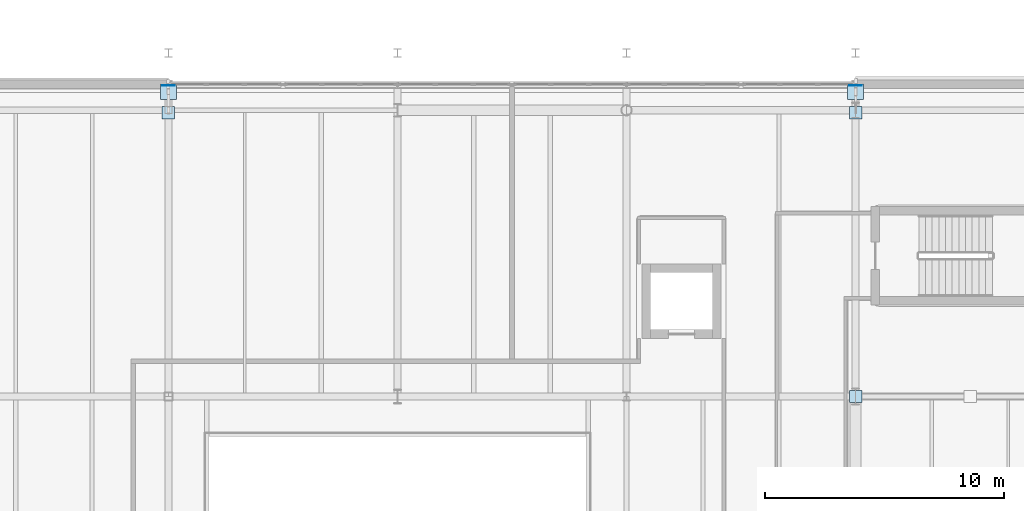
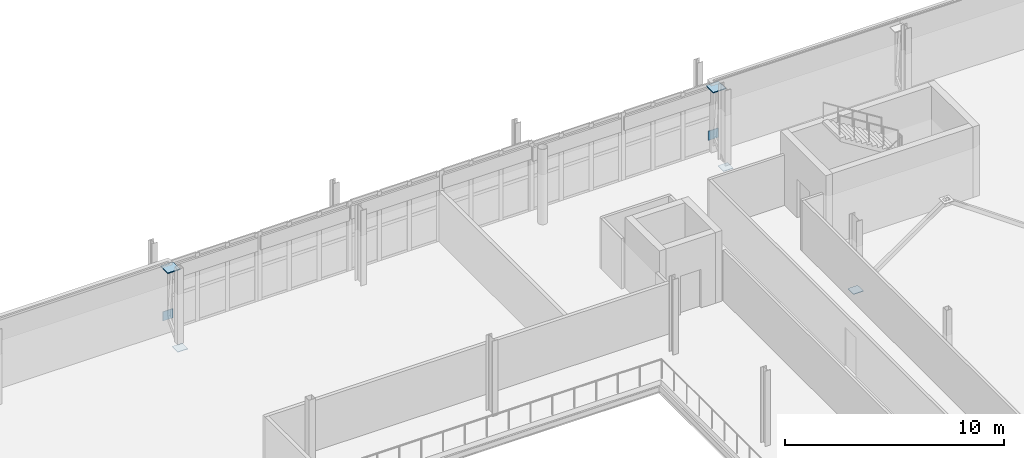
# One storey, part 37 of 57: 7 plates.
"""IFC4 building model written with IfcOpenShell, lengths in metres."""

from ifc_helpers import new_model, si_unit, direction, frame, origin, origin_2d, place, context, subcontext, project, spatial, rectangle, extrude, material, layer, layer_set, type_object, element, save


model = new_model("IFC4")

# Units and contexts
model_context = context("Model", 3, precision=1e-05, world=origin(), true_north=direction((0.0, 1.0)))
body_context = subcontext(model_context, "Body", "Model", "MODEL_VIEW")
ifc_project = project(units=[si_unit("LENGTHUNIT", "METRE"), si_unit("AREAUNIT", "SQUARE_METRE"), si_unit("VOLUMEUNIT", "CUBIC_METRE"), si_unit("PLANEANGLEUNIT", "RADIAN"), si_unit("MASSUNIT", "GRAM", prefix="KILO")], contexts=[model_context])

# Site, building, storey
site_placement = place(None, origin())
site = spatial("IfcSite", under=ifc_project, at=site_placement, CompositionType="ELEMENT")
building_placement = place(site_placement, origin())
building = spatial("IfcBuilding", under=site, at=building_placement, Name="Zereglee Splitstone Museum", CompositionType="ELEMENT")
storey_placement = place(building_placement, frame((0.0, 0.0, 17.10009765625)))
storey = spatial("IfcBuildingStorey", under=building, at=storey_placement, Name="L03", CompositionType="ELEMENT", Elevation=17.10009765625)

# Plates
ifc_material = material(Name="Steel S355J2", Category="steel")
ifc_layer_1 = layer(ifc_material, 0.030029296875)
ifc_layer_set_1 = layer_set([ifc_layer_1], Name="Steel S355J2")
plate_type_1 = type_object("IfcPlateType", Name="NP-04", PredefinedType="SHEET", material=ifc_layer_set_1)
for number, where, z_axis, x_axis, name in (
    (1, (126.0, 38.39990234375, 0.10498046875), (0.0, 0.0, 1.0), (1.0, 0.0, 0.0), "CBF Brace Gusset Cap L03-013"),
    (2, (97.199951171875, 50.300048828125, -0.2548828125), (0.0, 0.0, 1.0), (1.0, 0.0, 0.0), "Facet Tie Seal Plate FH-V2NW"),
):
    element("IfcPlate", number, at=place(storey_placement, frame(where, z_axis=z_axis, x_axis=x_axis)), inside=storey, type_object=plate_type_1, Name=name, PredefinedType="SHEET", context=body_context, shape_type="SweptSolid", body=[
        extrude(rectangle(XDim=0.52001953125, YDim=0.52001953125, at=origin_2d()), origin(), (0.0, 0.0, 1.0), 0.030029296875),
    ])
plate_1_placement = place(storey_placement, frame((97.199951171875, 51.4296875, 0.659912109375), z_axis=(0.0, 0.0, 1.0), x_axis=(1.0, 0.0, 0.0)))
element("IfcPlate", 3, at=plate_1_placement, inside=storey, type_object=plate_type_1, Name="Facet Tie Seal Plate FH-V2NW", PredefinedType="SHEET", context=body_context, shape_type="SweptSolid", body=[
    extrude(rectangle(XDim=0.52001953125, YDim=0.030029296875, at=origin_2d()), origin(), (0.0, 0.0, 1.0), 0.52001953125),
])
plate_2_placement = place(storey_placement, frame((126.0, 50.300048828125, -0.2548828125), z_axis=(0.0, 0.0, 1.0), x_axis=(1.0, 0.0, 0.0)))
element("IfcPlate", 4, at=plate_2_placement, inside=storey, type_object=plate_type_1, Name="Facet Tie Seal Plate FH-V2NE", PredefinedType="SHEET", context=body_context, shape_type="SweptSolid", body=[
    extrude(rectangle(XDim=0.52001953125, YDim=0.52001953125, at=origin_2d()), origin(), (0.0, 0.0, 1.0), 0.030029296875),
])
plate_3_placement = place(storey_placement, frame((126.0, 51.4296875, 0.659912109375), z_axis=(0.0, 0.0, 1.0), x_axis=(1.0, 0.0, 0.0)))
element("IfcPlate", 5, at=plate_3_placement, inside=storey, type_object=plate_type_1, Name="Facet Tie Seal Plate FH-V2NE", PredefinedType="SHEET", context=body_context, shape_type="SweptSolid", body=[
    extrude(rectangle(XDim=0.52001953125, YDim=0.030029296875, at=origin_2d()), origin(), (0.0, 0.0, 1.0), 0.52001953125),
])
ifc_layer_2 = layer(ifc_material, 0.050048828125)
ifc_layer_set_2 = layer_set([ifc_layer_2], Name="Steel S355J2")
plate_type_2 = type_object("IfcPlateType", Name="NP-02", PredefinedType="SHEET", material=ifc_layer_set_2)
for number, where, z_axis, x_axis, name in (
    (6, (97.199951171875, 51.1767578125, 3.6650390625), (0.0, 0.0, 1.0), (1.0, 0.0, 0.0), "Facet Strut Seal Plate FH-V2NW"),
    (7, (126.0, 51.1767578125, 3.6650390625), (0.0, 0.0, 1.0), (1.0, 0.0, 0.0), "Facet Strut Seal Plate FH-V2NE"),
):
    element("IfcPlate", number, at=place(storey_placement, frame(where, z_axis=z_axis, x_axis=x_axis)), inside=storey, type_object=plate_type_2, Name=name, PredefinedType="SHEET", context=body_context, shape_type="SweptSolid", body=[
        extrude(rectangle(XDim=0.659912109375, YDim=0.659912109375, at=origin_2d()), origin(), (0.0, 0.0, 1.0), 0.050048828125),
    ])

save(model, "model.ifc")
